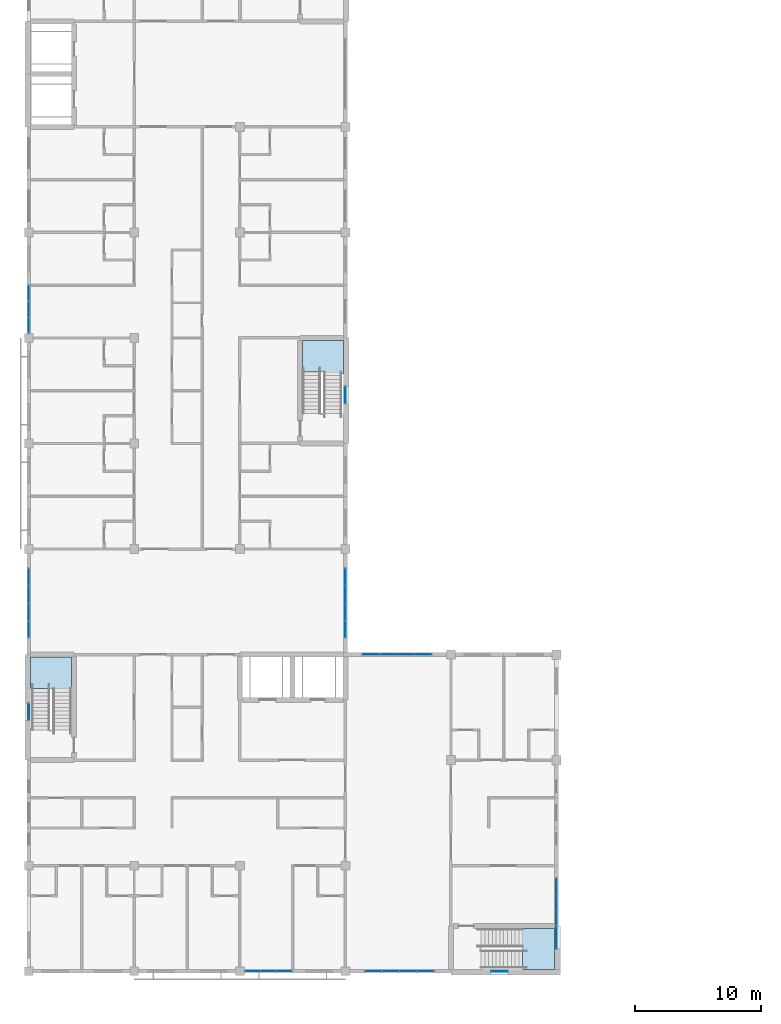
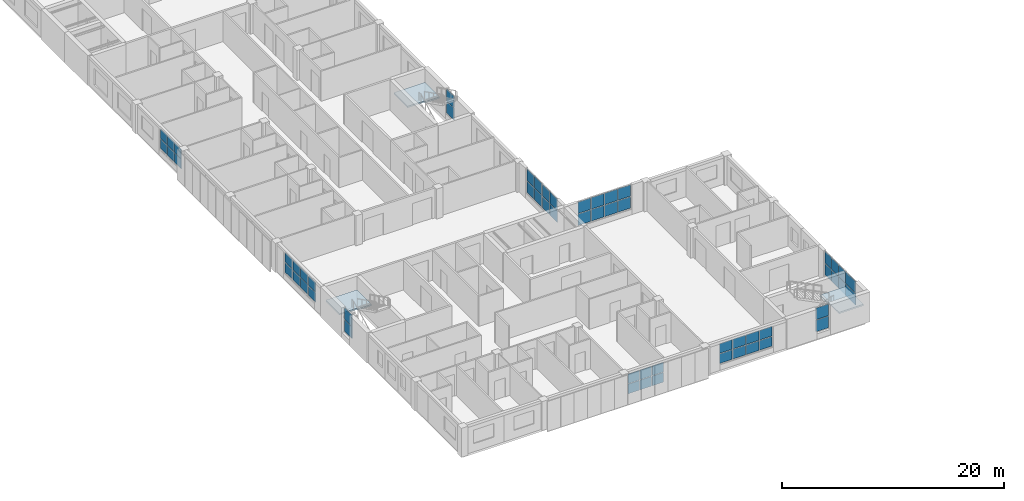
# One storey, part 21 of 48: 58 plates, 3 slabs, 14 elements without a shape of their own.
"""IFC4 building model written with IfcOpenShell, lengths in metres."""

from ifc_helpers import new_model, si_unit, direction, frame, origin, origin_2d, place, context, subcontext, project, spatial, polyline, rectangle, outline, extrude, material, layer, layer_set, type_object, element, aggregate, save


model = new_model("IFC4")

# Units and contexts
model_context = context("Model", 3, precision=1e-05, world=origin(), true_north=direction((0.0, 1.0)))
body_context = subcontext(model_context, "Body", "Model", "MODEL_VIEW")
ifc_project = project(units=[si_unit("LENGTHUNIT", "METRE"), si_unit("AREAUNIT", "SQUARE_METRE"), si_unit("VOLUMEUNIT", "CUBIC_METRE"), si_unit("PLANEANGLEUNIT", "RADIAN"), si_unit("MASSUNIT", "GRAM", prefix="KILO")], contexts=[model_context])

# Site, building, storey
site_placement = place(None, origin())
site = spatial("IfcSite", under=ifc_project, at=site_placement, CompositionType="ELEMENT")
building_placement = place(site_placement, origin())
building = spatial("IfcBuilding", under=site, at=building_placement, Name="Yavir Park General Hospital", CompositionType="ELEMENT")
storey_placement = place(building_placement, frame((0.0, 0.0, 26.10009765625)))
storey = spatial("IfcBuildingStorey", under=building, at=storey_placement, Name="L06", CompositionType="ELEMENT", Elevation=26.10009765625)

# Curtain wall, plates
ifc_material_1 = material(Name="Aluminium curtain wall frame with insulated glazing", Category="aluminium")
curtain_wall_type_1 = type_object("IfcCurtainWallType", Name="Day room pocket glazing, ward floors, 2300 high, 1400 module", PredefinedType="NOTDEFINED", material=ifc_material_1)
curtain_wall_1_placement = place(storey_placement, origin())
curtain_wall_1 = element("IfcCurtainWall", 1, at=curtain_wall_1_placement, inside=storey, type_object=curtain_wall_type_1, Name="CW63 L06-001", PredefinedType="NOTDEFINED")
ifc_material_2 = material(Name="Insulated glazed unit 30 mm, low-e coating")
ifc_layer_1 = layer(ifc_material_2, 0.030029296875)
ifc_layer_set_1 = layer_set([ifc_layer_1], Name="Insulated glazed unit 30 mm, low-e coating")
plate_type_1 = type_object("IfcPlateType", Name="Day room pocket glazing, ward floors, 2300 high panel 30", PredefinedType="CURTAIN_PANEL", material=ifc_layer_set_1)
plate_1_placement = place(storey_placement, frame((17.806640625, 0.0, 0.659912109375), z_axis=(0.0, 0.0, 1.0), x_axis=(1.0, 0.0, 0.0)))
plate_1 = element("IfcPlate", 2, at=plate_1_placement, type_object=plate_type_1, Name="CW63 panel 1.1", PredefinedType="CURTAIN_PANEL", context=body_context, shape_type="SweptSolid", body=[
    extrude(rectangle(XDim=1.193359375, YDim=0.030029296875, at=origin_2d()), origin(), (0.0, 0.0, 1.0), 1.06005859375),
])
plate_2_placement = place(storey_placement, frame((17.806640625, 0.0, 1.77978515625), z_axis=(0.0, 0.0, 1.0), x_axis=(1.0, 0.0, 0.0)))
plate_2 = element("IfcPlate", 3, at=plate_2_placement, type_object=plate_type_1, Name="CW63 panel 1.2", PredefinedType="CURTAIN_PANEL", context=body_context, shape_type="SweptSolid", body=[
    extrude(rectangle(XDim=1.193359375, YDim=0.030029296875, at=origin_2d()), origin(), (0.0, 0.0, 1.0), 1.06005859375),
])
plate_3_placement = place(storey_placement, frame((19.074951171875, 0.0, 0.659912109375), z_axis=(0.0, 0.0, 1.0), x_axis=(1.0, 0.0, 0.0)))
plate_3 = element("IfcPlate", 4, at=plate_3_placement, type_object=plate_type_1, Name="CW63 panel 2.1", PredefinedType="CURTAIN_PANEL", context=body_context, shape_type="SweptSolid", body=[
    extrude(rectangle(XDim=1.223388671875, YDim=0.030029296875, at=origin_2d()), origin(), (0.0, 0.0, 1.0), 1.06005859375),
])
plate_4_placement = place(storey_placement, frame((19.074951171875, 0.0, 1.77978515625), z_axis=(0.0, 0.0, 1.0), x_axis=(1.0, 0.0, 0.0)))
plate_4 = element("IfcPlate", 5, at=plate_4_placement, type_object=plate_type_1, Name="CW63 panel 2.2", PredefinedType="CURTAIN_PANEL", context=body_context, shape_type="SweptSolid", body=[
    extrude(rectangle(XDim=1.223388671875, YDim=0.030029296875, at=origin_2d()), origin(), (0.0, 0.0, 1.0), 1.06005859375),
])
plate_5_placement = place(storey_placement, frame((20.34326171875, 0.0, 0.659912109375), z_axis=(0.0, 0.0, 1.0), x_axis=(1.0, 0.0, 0.0)))
plate_5 = element("IfcPlate", 6, at=plate_5_placement, type_object=plate_type_1, Name="CW63 panel 3.1", PredefinedType="CURTAIN_PANEL", context=body_context, shape_type="SweptSolid", body=[
    extrude(rectangle(XDim=1.193359375, YDim=0.030029296875, at=origin_2d()), origin(), (0.0, 0.0, 1.0), 1.06005859375),
])
plate_6_placement = place(storey_placement, frame((20.34326171875, 0.0, 1.77978515625), z_axis=(0.0, 0.0, 1.0), x_axis=(1.0, 0.0, 0.0)))
plate_6 = element("IfcPlate", 7, at=plate_6_placement, type_object=plate_type_1, Name="CW63 panel 3.2", PredefinedType="CURTAIN_PANEL", context=body_context, shape_type="SweptSolid", body=[
    extrude(rectangle(XDim=1.193359375, YDim=0.030029296875, at=origin_2d()), origin(), (0.0, 0.0, 1.0), 1.06005859375),
])
aggregate(curtain_wall_1, [plate_1, plate_2, plate_3, plate_4, plate_5, plate_6])

curtain_wall_2_placement = place(storey_placement, origin())
curtain_wall_2 = element("IfcCurtainWall", 8, at=curtain_wall_2_placement, inside=storey, type_object=curtain_wall_type_1, Name="CW63 L06-002", PredefinedType="NOTDEFINED")
plate_7_placement = place(storey_placement, frame((27.4150390625, 0.0, 0.659912109375), z_axis=(0.0, 0.0, 1.0), x_axis=(1.0, 0.0, 0.0)))
plate_7 = element("IfcPlate", 9, at=plate_7_placement, type_object=plate_type_1, Name="CW63 panel 1.1", PredefinedType="CURTAIN_PANEL", context=body_context, shape_type="SweptSolid", body=[
    extrude(rectangle(XDim=1.31005859375, YDim=0.030029296875, at=origin_2d()), origin(), (0.0, 0.0, 1.0), 1.06005859375),
])
plate_8_placement = place(storey_placement, frame((27.4150390625, 0.0, 1.77978515625), z_axis=(0.0, 0.0, 1.0), x_axis=(1.0, 0.0, 0.0)))
plate_8 = element("IfcPlate", 10, at=plate_8_placement, type_object=plate_type_1, Name="CW63 panel 1.2", PredefinedType="CURTAIN_PANEL", context=body_context, shape_type="SweptSolid", body=[
    extrude(rectangle(XDim=1.31005859375, YDim=0.030029296875, at=origin_2d()), origin(), (0.0, 0.0, 1.0), 1.06005859375),
])
plate_9_placement = place(storey_placement, frame((28.800048828125, 0.0, 0.659912109375), z_axis=(0.0, 0.0, 1.0), x_axis=(1.0, 0.0, 0.0)))
plate_9 = element("IfcPlate", 11, at=plate_9_placement, type_object=plate_type_1, Name="CW63 panel 2.1", PredefinedType="CURTAIN_PANEL", context=body_context, shape_type="SweptSolid", body=[
    extrude(rectangle(XDim=1.340087890625, YDim=0.030029296875, at=origin_2d()), origin(), (0.0, 0.0, 1.0), 1.06005859375),
])
plate_10_placement = place(storey_placement, frame((28.800048828125, 0.0, 1.77978515625), z_axis=(0.0, 0.0, 1.0), x_axis=(1.0, 0.0, 0.0)))
plate_10 = element("IfcPlate", 12, at=plate_10_placement, type_object=plate_type_1, Name="CW63 panel 2.2", PredefinedType="CURTAIN_PANEL", context=body_context, shape_type="SweptSolid", body=[
    extrude(rectangle(XDim=1.340087890625, YDim=0.030029296875, at=origin_2d()), origin(), (0.0, 0.0, 1.0), 1.06005859375),
])
plate_11_placement = place(storey_placement, frame((30.199951171875, 0.0, 0.659912109375), z_axis=(0.0, 0.0, 1.0), x_axis=(1.0, 0.0, 0.0)))
plate_11 = element("IfcPlate", 13, at=plate_11_placement, type_object=plate_type_1, Name="CW63 panel 3.1", PredefinedType="CURTAIN_PANEL", context=body_context, shape_type="SweptSolid", body=[
    extrude(rectangle(XDim=1.340087890625, YDim=0.030029296875, at=origin_2d()), origin(), (0.0, 0.0, 1.0), 1.06005859375),
])
plate_12_placement = place(storey_placement, frame((30.199951171875, 0.0, 1.77978515625), z_axis=(0.0, 0.0, 1.0), x_axis=(1.0, 0.0, 0.0)))
plate_12 = element("IfcPlate", 14, at=plate_12_placement, type_object=plate_type_1, Name="CW63 panel 3.2", PredefinedType="CURTAIN_PANEL", context=body_context, shape_type="SweptSolid", body=[
    extrude(rectangle(XDim=1.340087890625, YDim=0.030029296875, at=origin_2d()), origin(), (0.0, 0.0, 1.0), 1.06005859375),
])
plate_13_placement = place(storey_placement, frame((31.5849609375, 0.0, 0.659912109375), z_axis=(0.0, 0.0, 1.0), x_axis=(1.0, 0.0, 0.0)))
plate_13 = element("IfcPlate", 15, at=plate_13_placement, type_object=plate_type_1, Name="CW63 panel 4.1", PredefinedType="CURTAIN_PANEL", context=body_context, shape_type="SweptSolid", body=[
    extrude(rectangle(XDim=1.31005859375, YDim=0.030029296875, at=origin_2d()), origin(), (0.0, 0.0, 1.0), 1.06005859375),
])
plate_14_placement = place(storey_placement, frame((31.5849609375, 0.0, 1.77978515625), z_axis=(0.0, 0.0, 1.0), x_axis=(1.0, 0.0, 0.0)))
plate_14 = element("IfcPlate", 16, at=plate_14_placement, type_object=plate_type_1, Name="CW63 panel 4.2", PredefinedType="CURTAIN_PANEL", context=body_context, shape_type="SweptSolid", body=[
    extrude(rectangle(XDim=1.31005859375, YDim=0.030029296875, at=origin_2d()), origin(), (0.0, 0.0, 1.0), 1.06005859375),
])
aggregate(curtain_wall_2, [plate_7, plate_8, plate_9, plate_10, plate_11, plate_12, plate_13, plate_14])

curtain_wall_3_placement = place(storey_placement, origin())
curtain_wall_3 = element("IfcCurtainWall", 17, at=curtain_wall_3_placement, inside=storey, type_object=curtain_wall_type_1, Name="CW63 L06-019", PredefinedType="NOTDEFINED")
plate_15_placement = place(storey_placement, frame((0.0, 27.215087890625, 0.659912109375), z_axis=(0.0, 0.0, 1.0), x_axis=(0.0, 1.0, 0.0)))
plate_15 = element("IfcPlate", 18, at=plate_15_placement, type_object=plate_type_1, Name="CW63 panel 1.1", PredefinedType="CURTAIN_PANEL", context=body_context, shape_type="SweptSolid", body=[
    extrude(rectangle(XDim=1.31005859375, YDim=0.030029296875, at=origin_2d()), origin(), (0.0, 0.0, 1.0), 1.06005859375),
])
plate_16_placement = place(storey_placement, frame((0.0, 27.215087890625, 1.77978515625), z_axis=(0.0, 0.0, 1.0), x_axis=(0.0, 1.0, 0.0)))
plate_16 = element("IfcPlate", 19, at=plate_16_placement, type_object=plate_type_1, Name="CW63 panel 1.2", PredefinedType="CURTAIN_PANEL", context=body_context, shape_type="SweptSolid", body=[
    extrude(rectangle(XDim=1.31005859375, YDim=0.030029296875, at=origin_2d()), origin(), (0.0, 0.0, 1.0), 1.06005859375),
])
plate_17_placement = place(storey_placement, frame((0.0, 28.60009765625, 0.659912109375), z_axis=(0.0, 0.0, 1.0), x_axis=(0.0, 1.0, 0.0)))
plate_17 = element("IfcPlate", 20, at=plate_17_placement, type_object=plate_type_1, Name="CW63 panel 2.1", PredefinedType="CURTAIN_PANEL", context=body_context, shape_type="SweptSolid", body=[
    extrude(rectangle(XDim=1.340087890625, YDim=0.030029296875, at=origin_2d()), origin(), (0.0, 0.0, 1.0), 1.06005859375),
])
plate_18_placement = place(storey_placement, frame((0.0, 28.60009765625, 1.77978515625), z_axis=(0.0, 0.0, 1.0), x_axis=(0.0, 1.0, 0.0)))
plate_18 = element("IfcPlate", 21, at=plate_18_placement, type_object=plate_type_1, Name="CW63 panel 2.2", PredefinedType="CURTAIN_PANEL", context=body_context, shape_type="SweptSolid", body=[
    extrude(rectangle(XDim=1.340087890625, YDim=0.030029296875, at=origin_2d()), origin(), (0.0, 0.0, 1.0), 1.06005859375),
])
plate_19_placement = place(storey_placement, frame((0.0, 30.0, 0.659912109375), z_axis=(0.0, 0.0, 1.0), x_axis=(0.0, 1.0, 0.0)))
plate_19 = element("IfcPlate", 22, at=plate_19_placement, type_object=plate_type_1, Name="CW63 panel 3.1", PredefinedType="CURTAIN_PANEL", context=body_context, shape_type="SweptSolid", body=[
    extrude(rectangle(XDim=1.340087890625, YDim=0.030029296875, at=origin_2d()), origin(), (0.0, 0.0, 1.0), 1.06005859375),
])
plate_20_placement = place(storey_placement, frame((0.0, 30.0, 1.77978515625), z_axis=(0.0, 0.0, 1.0), x_axis=(0.0, 1.0, 0.0)))
plate_20 = element("IfcPlate", 23, at=plate_20_placement, type_object=plate_type_1, Name="CW63 panel 3.2", PredefinedType="CURTAIN_PANEL", context=body_context, shape_type="SweptSolid", body=[
    extrude(rectangle(XDim=1.340087890625, YDim=0.030029296875, at=origin_2d()), origin(), (0.0, 0.0, 1.0), 1.06005859375),
])
plate_21_placement = place(storey_placement, frame((0.0, 31.385009765625, 0.659912109375), z_axis=(0.0, 0.0, 1.0), x_axis=(0.0, 1.0, 0.0)))
plate_21 = element("IfcPlate", 24, at=plate_21_placement, type_object=plate_type_1, Name="CW63 panel 4.1", PredefinedType="CURTAIN_PANEL", context=body_context, shape_type="SweptSolid", body=[
    extrude(rectangle(XDim=1.31005859375, YDim=0.030029296875, at=origin_2d()), origin(), (0.0, 0.0, 1.0), 1.06005859375),
])
plate_22_placement = place(storey_placement, frame((0.0, 31.385009765625, 1.77978515625), z_axis=(0.0, 0.0, 1.0), x_axis=(0.0, 1.0, 0.0)))
plate_22 = element("IfcPlate", 25, at=plate_22_placement, type_object=plate_type_1, Name="CW63 panel 4.2", PredefinedType="CURTAIN_PANEL", context=body_context, shape_type="SweptSolid", body=[
    extrude(rectangle(XDim=1.31005859375, YDim=0.030029296875, at=origin_2d()), origin(), (0.0, 0.0, 1.0), 1.06005859375),
])
aggregate(curtain_wall_3, [plate_15, plate_16, plate_17, plate_18, plate_19, plate_20, plate_21, plate_22])

curtain_wall_4_placement = place(storey_placement, origin())
curtain_wall_4 = element("IfcCurtainWall", 26, at=curtain_wall_4_placement, inside=storey, type_object=curtain_wall_type_1, Name="CW63 L06-020", PredefinedType="NOTDEFINED")
plate_23_placement = place(storey_placement, frame((0.0, 51.40673828125, 0.659912109375), z_axis=(0.0, 0.0, 1.0), x_axis=(0.0, 1.0, 0.0)))
plate_23 = element("IfcPlate", 27, at=plate_23_placement, type_object=plate_type_1, Name="CW63 panel 1.1", PredefinedType="CURTAIN_PANEL", context=body_context, shape_type="SweptSolid", body=[
    extrude(rectangle(XDim=1.193359375, YDim=0.030029296875, at=origin_2d()), origin(), (0.0, 0.0, 1.0), 1.06005859375),
])
plate_24_placement = place(storey_placement, frame((0.0, 51.40673828125, 1.77978515625), z_axis=(0.0, 0.0, 1.0), x_axis=(0.0, 1.0, 0.0)))
plate_24 = element("IfcPlate", 28, at=plate_24_placement, type_object=plate_type_1, Name="CW63 panel 1.2", PredefinedType="CURTAIN_PANEL", context=body_context, shape_type="SweptSolid", body=[
    extrude(rectangle(XDim=1.193359375, YDim=0.030029296875, at=origin_2d()), origin(), (0.0, 0.0, 1.0), 1.06005859375),
])
plate_25_placement = place(storey_placement, frame((0.0, 52.675048828125, 0.659912109375), z_axis=(0.0, 0.0, 1.0), x_axis=(0.0, 1.0, 0.0)))
plate_25 = element("IfcPlate", 29, at=plate_25_placement, type_object=plate_type_1, Name="CW63 panel 2.1", PredefinedType="CURTAIN_PANEL", context=body_context, shape_type="SweptSolid", body=[
    extrude(rectangle(XDim=1.223388671875, YDim=0.030029296875, at=origin_2d()), origin(), (0.0, 0.0, 1.0), 1.06005859375),
])
plate_26_placement = place(storey_placement, frame((0.0, 52.675048828125, 1.77978515625), z_axis=(0.0, 0.0, 1.0), x_axis=(0.0, 1.0, 0.0)))
plate_26 = element("IfcPlate", 30, at=plate_26_placement, type_object=plate_type_1, Name="CW63 panel 2.2", PredefinedType="CURTAIN_PANEL", context=body_context, shape_type="SweptSolid", body=[
    extrude(rectangle(XDim=1.223388671875, YDim=0.030029296875, at=origin_2d()), origin(), (0.0, 0.0, 1.0), 1.06005859375),
])
plate_27_placement = place(storey_placement, frame((0.0, 53.943359375, 0.659912109375), z_axis=(0.0, 0.0, 1.0), x_axis=(0.0, 1.0, 0.0)))
plate_27 = element("IfcPlate", 31, at=plate_27_placement, type_object=plate_type_1, Name="CW63 panel 3.1", PredefinedType="CURTAIN_PANEL", context=body_context, shape_type="SweptSolid", body=[
    extrude(rectangle(XDim=1.193359375, YDim=0.030029296875, at=origin_2d()), origin(), (0.0, 0.0, 1.0), 1.06005859375),
])
plate_28_placement = place(storey_placement, frame((0.0, 53.943359375, 1.77978515625), z_axis=(0.0, 0.0, 1.0), x_axis=(0.0, 1.0, 0.0)))
plate_28 = element("IfcPlate", 32, at=plate_28_placement, type_object=plate_type_1, Name="CW63 panel 3.2", PredefinedType="CURTAIN_PANEL", context=body_context, shape_type="SweptSolid", body=[
    extrude(rectangle(XDim=1.193359375, YDim=0.030029296875, at=origin_2d()), origin(), (0.0, 0.0, 1.0), 1.06005859375),
])
aggregate(curtain_wall_4, [plate_23, plate_24, plate_25, plate_26, plate_27, plate_28])

ifc_material_3 = material(Name="Aluminium curtain wall frame with insulated glazing", Category="aluminium")
curtain_wall_type_2 = type_object("IfcCurtainWallType", Name="Day room pocket glazing, ward floors, 2700 high, 1400 module", PredefinedType="NOTDEFINED", material=ifc_material_3)
curtain_wall_5_placement = place(storey_placement, origin())
curtain_wall_5 = element("IfcCurtainWall", 33, at=curtain_wall_5_placement, inside=storey, type_object=curtain_wall_type_2, Name="CW65 L06-010", PredefinedType="NOTDEFINED")
ifc_material_4 = material(Name="Insulated glazed unit 30 mm, low-e coating")
ifc_layer_2 = layer(ifc_material_4, 0.030029296875)
ifc_layer_set_2 = layer_set([ifc_layer_2], Name="Insulated glazed unit 30 mm, low-e coating")
plate_type_2 = type_object("IfcPlateType", Name="Day room pocket glazing, ward floors, 2700 high panel 30", PredefinedType="CURTAIN_PANEL", material=ifc_layer_set_2)
plate_29_placement = place(storey_placement, frame((27.215087890625, 25.199951171875, 0.65966796875), z_axis=(0.0, 0.0, 1.0), x_axis=(1.0, 0.0, 0.0)))
plate_29 = element("IfcPlate", 34, at=plate_29_placement, type_object=plate_type_2, Name="CW65 panel 1.1", PredefinedType="CURTAIN_PANEL", context=body_context, shape_type="SweptSolid", body=[
    extrude(rectangle(XDim=1.31005859375, YDim=0.030029296875, at=origin_2d()), origin(), (0.0, 0.0, 1.0), 1.260009765625),
])
plate_30_placement = place(storey_placement, frame((27.215087890625, 25.199951171875, 1.97998046875), z_axis=(0.0, 0.0, 1.0), x_axis=(1.0, 0.0, 0.0)))
plate_30 = element("IfcPlate", 35, at=plate_30_placement, type_object=plate_type_2, Name="CW65 panel 1.2", PredefinedType="CURTAIN_PANEL", context=body_context, shape_type="SweptSolid", body=[
    extrude(rectangle(XDim=1.31005859375, YDim=0.030029296875, at=origin_2d()), origin(), (0.0, 0.0, 1.0), 1.260009765625),
])
plate_31_placement = place(storey_placement, frame((28.60009765625, 25.199951171875, 0.65966796875), z_axis=(0.0, 0.0, 1.0), x_axis=(1.0, 0.0, 0.0)))
plate_31 = element("IfcPlate", 36, at=plate_31_placement, type_object=plate_type_2, Name="CW65 panel 2.1", PredefinedType="CURTAIN_PANEL", context=body_context, shape_type="SweptSolid", body=[
    extrude(rectangle(XDim=1.340087890625, YDim=0.030029296875, at=origin_2d()), origin(), (0.0, 0.0, 1.0), 1.260009765625),
])
plate_32_placement = place(storey_placement, frame((28.60009765625, 25.199951171875, 1.97998046875), z_axis=(0.0, 0.0, 1.0), x_axis=(1.0, 0.0, 0.0)))
plate_32 = element("IfcPlate", 37, at=plate_32_placement, type_object=plate_type_2, Name="CW65 panel 2.2", PredefinedType="CURTAIN_PANEL", context=body_context, shape_type="SweptSolid", body=[
    extrude(rectangle(XDim=1.340087890625, YDim=0.030029296875, at=origin_2d()), origin(), (0.0, 0.0, 1.0), 1.260009765625),
])
plate_33_placement = place(storey_placement, frame((30.0, 25.199951171875, 0.65966796875), z_axis=(0.0, 0.0, 1.0), x_axis=(1.0, 0.0, 0.0)))
plate_33 = element("IfcPlate", 38, at=plate_33_placement, type_object=plate_type_2, Name="CW65 panel 3.1", PredefinedType="CURTAIN_PANEL", context=body_context, shape_type="SweptSolid", body=[
    extrude(rectangle(XDim=1.340087890625, YDim=0.030029296875, at=origin_2d()), origin(), (0.0, 0.0, 1.0), 1.260009765625),
])
plate_34_placement = place(storey_placement, frame((30.0, 25.199951171875, 1.97998046875), z_axis=(0.0, 0.0, 1.0), x_axis=(1.0, 0.0, 0.0)))
plate_34 = element("IfcPlate", 39, at=plate_34_placement, type_object=plate_type_2, Name="CW65 panel 3.2", PredefinedType="CURTAIN_PANEL", context=body_context, shape_type="SweptSolid", body=[
    extrude(rectangle(XDim=1.340087890625, YDim=0.030029296875, at=origin_2d()), origin(), (0.0, 0.0, 1.0), 1.260009765625),
])
plate_35_placement = place(storey_placement, frame((31.385009765625, 25.199951171875, 0.65966796875), z_axis=(0.0, 0.0, 1.0), x_axis=(1.0, 0.0, 0.0)))
plate_35 = element("IfcPlate", 40, at=plate_35_placement, type_object=plate_type_2, Name="CW65 panel 4.1", PredefinedType="CURTAIN_PANEL", context=body_context, shape_type="SweptSolid", body=[
    extrude(rectangle(XDim=1.31005859375, YDim=0.030029296875, at=origin_2d()), origin(), (0.0, 0.0, 1.0), 1.260009765625),
])
plate_36_placement = place(storey_placement, frame((31.385009765625, 25.199951171875, 1.97998046875), z_axis=(0.0, 0.0, 1.0), x_axis=(1.0, 0.0, 0.0)))
plate_36 = element("IfcPlate", 41, at=plate_36_placement, type_object=plate_type_2, Name="CW65 panel 4.2", PredefinedType="CURTAIN_PANEL", context=body_context, shape_type="SweptSolid", body=[
    extrude(rectangle(XDim=1.31005859375, YDim=0.030029296875, at=origin_2d()), origin(), (0.0, 0.0, 1.0), 1.260009765625),
])
aggregate(curtain_wall_5, [plate_29, plate_30, plate_31, plate_32, plate_33, plate_34, plate_35, plate_36])

curtain_wall_6_placement = place(storey_placement, origin())
curtain_wall_6 = element("IfcCurtainWall", 42, at=curtain_wall_6_placement, inside=storey, type_object=curtain_wall_type_2, Name="CW65 L06-021", PredefinedType="NOTDEFINED")
plate_37_placement = place(storey_placement, frame((25.199951171875, 27.215087890625, 0.65966796875), z_axis=(0.0, 0.0, 1.0), x_axis=(0.0, 1.0, 0.0)))
plate_37 = element("IfcPlate", 43, at=plate_37_placement, type_object=plate_type_2, Name="CW65 panel 1.1", PredefinedType="CURTAIN_PANEL", context=body_context, shape_type="SweptSolid", body=[
    extrude(rectangle(XDim=1.31005859375, YDim=0.030029296875, at=origin_2d()), origin(), (0.0, 0.0, 1.0), 1.260009765625),
])
plate_38_placement = place(storey_placement, frame((25.199951171875, 27.215087890625, 1.97998046875), z_axis=(0.0, 0.0, 1.0), x_axis=(0.0, 1.0, 0.0)))
plate_38 = element("IfcPlate", 44, at=plate_38_placement, type_object=plate_type_2, Name="CW65 panel 1.2", PredefinedType="CURTAIN_PANEL", context=body_context, shape_type="SweptSolid", body=[
    extrude(rectangle(XDim=1.31005859375, YDim=0.030029296875, at=origin_2d()), origin(), (0.0, 0.0, 1.0), 1.260009765625),
])
plate_39_placement = place(storey_placement, frame((25.199951171875, 28.60009765625, 0.65966796875), z_axis=(0.0, 0.0, 1.0), x_axis=(0.0, 1.0, 0.0)))
plate_39 = element("IfcPlate", 45, at=plate_39_placement, type_object=plate_type_2, Name="CW65 panel 2.1", PredefinedType="CURTAIN_PANEL", context=body_context, shape_type="SweptSolid", body=[
    extrude(rectangle(XDim=1.340087890625, YDim=0.030029296875, at=origin_2d()), origin(), (0.0, 0.0, 1.0), 1.260009765625),
])
plate_40_placement = place(storey_placement, frame((25.199951171875, 28.60009765625, 1.97998046875), z_axis=(0.0, 0.0, 1.0), x_axis=(0.0, 1.0, 0.0)))
plate_40 = element("IfcPlate", 46, at=plate_40_placement, type_object=plate_type_2, Name="CW65 panel 2.2", PredefinedType="CURTAIN_PANEL", context=body_context, shape_type="SweptSolid", body=[
    extrude(rectangle(XDim=1.340087890625, YDim=0.030029296875, at=origin_2d()), origin(), (0.0, 0.0, 1.0), 1.260009765625),
])
plate_41_placement = place(storey_placement, frame((25.199951171875, 30.0, 0.65966796875), z_axis=(0.0, 0.0, 1.0), x_axis=(0.0, 1.0, 0.0)))
plate_41 = element("IfcPlate", 47, at=plate_41_placement, type_object=plate_type_2, Name="CW65 panel 3.1", PredefinedType="CURTAIN_PANEL", context=body_context, shape_type="SweptSolid", body=[
    extrude(rectangle(XDim=1.340087890625, YDim=0.030029296875, at=origin_2d()), origin(), (0.0, 0.0, 1.0), 1.260009765625),
])
plate_42_placement = place(storey_placement, frame((25.199951171875, 30.0, 1.97998046875), z_axis=(0.0, 0.0, 1.0), x_axis=(0.0, 1.0, 0.0)))
plate_42 = element("IfcPlate", 48, at=plate_42_placement, type_object=plate_type_2, Name="CW65 panel 3.2", PredefinedType="CURTAIN_PANEL", context=body_context, shape_type="SweptSolid", body=[
    extrude(rectangle(XDim=1.340087890625, YDim=0.030029296875, at=origin_2d()), origin(), (0.0, 0.0, 1.0), 1.260009765625),
])
plate_43_placement = place(storey_placement, frame((25.199951171875, 31.385009765625, 0.65966796875), z_axis=(0.0, 0.0, 1.0), x_axis=(0.0, 1.0, 0.0)))
plate_43 = element("IfcPlate", 49, at=plate_43_placement, type_object=plate_type_2, Name="CW65 panel 4.1", PredefinedType="CURTAIN_PANEL", context=body_context, shape_type="SweptSolid", body=[
    extrude(rectangle(XDim=1.31005859375, YDim=0.030029296875, at=origin_2d()), origin(), (0.0, 0.0, 1.0), 1.260009765625),
])
plate_44_placement = place(storey_placement, frame((25.199951171875, 31.385009765625, 1.97998046875), z_axis=(0.0, 0.0, 1.0), x_axis=(0.0, 1.0, 0.0)))
plate_44 = element("IfcPlate", 50, at=plate_44_placement, type_object=plate_type_2, Name="CW65 panel 4.2", PredefinedType="CURTAIN_PANEL", context=body_context, shape_type="SweptSolid", body=[
    extrude(rectangle(XDim=1.31005859375, YDim=0.030029296875, at=origin_2d()), origin(), (0.0, 0.0, 1.0), 1.260009765625),
])
aggregate(curtain_wall_6, [plate_37, plate_38, plate_39, plate_40, plate_41, plate_42, plate_43, plate_44])

# Stair, slab
ifc_material_5 = material(Name="Concrete C30/37", Category="concrete")
stair_type = type_object("IfcStairType", Name="Patient escape stair, 24 risers of 150 mm, 1400 mm flights", PredefinedType="HALF_TURN_STAIR", material=ifc_material_5)
stair_1_placement = place(storey_placement, origin())
stair_1 = element("IfcStair", 51, at=stair_1_placement, inside=storey, type_object=stair_type, Name="Stair SU1, L06 to RF", PredefinedType="HALF_TURN_STAIR")
ifc_material_6 = material(Name="Concrete C30/37", Category="concrete")
ifc_layer_3 = layer(ifc_material_6, 0.159912109375)
ifc_layer_set_3 = layer_set([ifc_layer_3], Name="Concrete C30/37")
slab_type = type_object("IfcSlabType", Name="Patient escape stair half landing, reinforced concrete 160 mm", PredefinedType="LANDING", material=ifc_layer_set_3)
slab_1_placement = place(storey_placement, frame((0.0, 0.0, 1.639892578125)))
slab_1 = element("IfcSlab", 52, at=slab_1_placement, type_object=slab_type, Name="SU1 landing 1", PredefinedType="LANDING", context=body_context, shape_type="SweptSolid", body=[
    extrude(outline(polyline([(0.14990234375, 22.49853515625), (0.14990234375, 25.0), (3.39990234375, 25.0), (3.39990234375, 22.35009765625), (1.949951171875, 22.35009765625), (1.949951171875, 22.49853515625), (0.14990234375, 22.49853515625)])), origin(), (0.0, 0.0, 1.0), 0.159912109375),
])
aggregate(stair_1, [slab_1])

stair_2_placement = place(storey_placement, origin())
stair_2 = element("IfcStair", 53, at=stair_2_placement, inside=storey, type_object=stair_type, Name="Stair SU2, L06 to RF", PredefinedType="HALF_TURN_STAIR")
slab_2_placement = place(storey_placement, frame((0.0, 0.0, 1.639892578125)))
slab_2 = element("IfcSlab", 54, at=slab_2_placement, type_object=slab_type, Name="SU2 landing 1", PredefinedType="LANDING", context=body_context, shape_type="SweptSolid", body=[
    extrude(outline(polyline([(39.298583984375, 0.14990234375), (41.85009765625, 0.14990234375), (41.85009765625, 3.39990234375), (39.14990234375, 3.39990234375), (39.14990234375, 1.949951171875), (39.298583984375, 1.949951171875), (39.298583984375, 0.14990234375)])), origin(), (0.0, 0.0, 1.0), 0.159912109375),
])
aggregate(stair_2, [slab_2])

stair_3_placement = place(storey_placement, origin())
stair_3 = element("IfcStair", 55, at=stair_3_placement, inside=storey, type_object=stair_type, Name="Stair SW1, L06 to RF", PredefinedType="HALF_TURN_STAIR")
slab_3_placement = place(storey_placement, frame((0.0, 0.0, 1.639892578125)))
slab_3 = element("IfcSlab", 56, at=slab_3_placement, type_object=slab_type, Name="SW1 landing 1", PredefinedType="LANDING", context=body_context, shape_type="SweptSolid", body=[
    extrude(outline(polyline([(21.800048828125, 47.698486328125), (21.800048828125, 50.199951171875), (25.050048828125, 50.199951171875), (25.050048828125, 47.550048828125), (23.5, 47.550048828125), (23.5, 47.698486328125), (21.800048828125, 47.698486328125)])), origin(), (0.0, 0.0, 1.0), 0.159912109375),
])
aggregate(stair_3, [slab_3])

# Curtain wall, plates
ifc_material_7 = material(Name="Aluminium curtain wall frame with insulated glazing", Category="aluminium")
curtain_wall_type_3 = type_object("IfcCurtainWallType", Name="Stair light slot, ward floors, 2700 high, 1400 module", PredefinedType="NOTDEFINED", material=ifc_material_7)
curtain_wall_7_placement = place(storey_placement, origin())
curtain_wall_7 = element("IfcCurtainWall", 57, at=curtain_wall_7_placement, inside=storey, type_object=curtain_wall_type_3, Name="CW64 L06-003", PredefinedType="NOTDEFINED")
ifc_material_8 = material(Name="Fire-resisting glazed unit 70 mm")
ifc_layer_4 = layer(ifc_material_8, 0.070068359375)
ifc_layer_set_4 = layer_set([ifc_layer_4], Name="Fire-resisting glazed unit 70 mm")
plate_type_3 = type_object("IfcPlateType", Name="Stair light slot, ward floors, 2700 high panel 70", PredefinedType="CURTAIN_PANEL", material=ifc_layer_set_4)
plate_45_placement = place(storey_placement, frame((37.449951171875, 0.0, 0.64990234375), z_axis=(0.0, 0.0, 1.0), x_axis=(1.0, 0.0, 0.0)))
plate_45 = element("IfcPlate", 58, at=plate_45_placement, type_object=plate_type_3, Name="CW64 panel 1.1", PredefinedType="CURTAIN_PANEL", context=body_context, shape_type="SweptSolid", body=[
    extrude(rectangle(XDim=1.300048828125, YDim=0.070068359375, at=origin_2d()), origin(), (0.0, 0.0, 1.0), 1.27490234375),
])
plate_46_placement = place(storey_placement, frame((37.449951171875, 0.0, 1.974853515625), z_axis=(0.0, 0.0, 1.0), x_axis=(1.0, 0.0, 0.0)))
plate_46 = element("IfcPlate", 59, at=plate_46_placement, type_object=plate_type_3, Name="CW64 panel 1.2", PredefinedType="CURTAIN_PANEL", context=body_context, shape_type="SweptSolid", body=[
    extrude(rectangle(XDim=1.300048828125, YDim=0.070068359375, at=origin_2d()), origin(), (0.0, 0.0, 1.0), 1.27490234375),
])
aggregate(curtain_wall_7, [plate_45, plate_46])

curtain_wall_8_placement = place(storey_placement, origin())
curtain_wall_8 = element("IfcCurtainWall", 60, at=curtain_wall_8_placement, inside=storey, type_object=curtain_wall_type_3, Name="CW64 L06-018", PredefinedType="NOTDEFINED")
plate_47_placement = place(storey_placement, frame((0.0, 20.64990234375, 0.64990234375), z_axis=(0.0, 0.0, 1.0), x_axis=(0.0, 1.0, 0.0)))
plate_47 = element("IfcPlate", 61, at=plate_47_placement, type_object=plate_type_3, Name="CW64 panel 1.1", PredefinedType="CURTAIN_PANEL", context=body_context, shape_type="SweptSolid", body=[
    extrude(rectangle(XDim=1.300048828125, YDim=0.070068359375, at=origin_2d()), origin(), (0.0, 0.0, 1.0), 1.27490234375),
])
plate_48_placement = place(storey_placement, frame((0.0, 20.64990234375, 1.974853515625), z_axis=(0.0, 0.0, 1.0), x_axis=(0.0, 1.0, 0.0)))
plate_48 = element("IfcPlate", 62, at=plate_48_placement, type_object=plate_type_3, Name="CW64 panel 1.2", PredefinedType="CURTAIN_PANEL", context=body_context, shape_type="SweptSolid", body=[
    extrude(rectangle(XDim=1.300048828125, YDim=0.070068359375, at=origin_2d()), origin(), (0.0, 0.0, 1.0), 1.27490234375),
])
aggregate(curtain_wall_8, [plate_47, plate_48])

curtain_wall_9_placement = place(storey_placement, origin())
curtain_wall_9 = element("IfcCurtainWall", 63, at=curtain_wall_9_placement, inside=storey, type_object=curtain_wall_type_3, Name="CW64 L06-022", PredefinedType="NOTDEFINED")
plate_49_placement = place(storey_placement, frame((25.199951171875, 45.85009765625, 0.64990234375), z_axis=(0.0, 0.0, 1.0), x_axis=(0.0, 1.0, 0.0)))
plate_49 = element("IfcPlate", 64, at=plate_49_placement, type_object=plate_type_3, Name="CW64 panel 1.1", PredefinedType="CURTAIN_PANEL", context=body_context, shape_type="SweptSolid", body=[
    extrude(rectangle(XDim=1.300048828125, YDim=0.070068359375, at=origin_2d()), origin(), (0.0, 0.0, 1.0), 1.27490234375),
])
plate_50_placement = place(storey_placement, frame((25.199951171875, 45.85009765625, 1.974853515625), z_axis=(0.0, 0.0, 1.0), x_axis=(0.0, 1.0, 0.0)))
plate_50 = element("IfcPlate", 65, at=plate_50_placement, type_object=plate_type_3, Name="CW64 panel 1.2", PredefinedType="CURTAIN_PANEL", context=body_context, shape_type="SweptSolid", body=[
    extrude(rectangle(XDim=1.300048828125, YDim=0.070068359375, at=origin_2d()), origin(), (0.0, 0.0, 1.0), 1.27490234375),
])
aggregate(curtain_wall_9, [plate_49, plate_50])

curtain_wall_10_placement = place(storey_placement, origin())
curtain_wall_10 = element("IfcCurtainWall", 66, at=curtain_wall_10_placement, inside=storey, type_object=curtain_wall_type_3, Name="CW64 L06-027", PredefinedType="NOTDEFINED")
plate_51_placement = place(storey_placement, frame((42.0, 2.675048828125, 0.64990234375), z_axis=(0.0, 0.0, 1.0), x_axis=(0.0, 1.0, 0.0)))
plate_51 = element("IfcPlate", 67, at=plate_51_placement, type_object=plate_type_3, Name="CW64 panel 1.1", PredefinedType="CURTAIN_PANEL", context=body_context, shape_type="SweptSolid", body=[
    extrude(rectangle(XDim=1.75, YDim=0.070068359375, at=origin_2d()), origin(), (0.0, 0.0, 1.0), 1.27490234375),
])
plate_52_placement = place(storey_placement, frame((42.0, 2.675048828125, 1.974853515625), z_axis=(0.0, 0.0, 1.0), x_axis=(0.0, 1.0, 0.0)))
plate_52 = element("IfcPlate", 68, at=plate_52_placement, type_object=plate_type_3, Name="CW64 panel 1.2", PredefinedType="CURTAIN_PANEL", context=body_context, shape_type="SweptSolid", body=[
    extrude(rectangle(XDim=1.75, YDim=0.070068359375, at=origin_2d()), origin(), (0.0, 0.0, 1.0), 1.27490234375),
])
aggregate(curtain_wall_10, [plate_51, plate_52])

ifc_material_9 = material(Name="Aluminium curtain wall frame with insulated glazing", Category="aluminium")
curtain_wall_type_4 = type_object("IfcCurtainWallType", Name="Ward corridor end glazing, 2700 high, 1400 module", PredefinedType="NOTDEFINED", material=ifc_material_9)
curtain_wall_11_placement = place(storey_placement, origin())
curtain_wall_11 = element("IfcCurtainWall", 69, at=curtain_wall_11_placement, inside=storey, type_object=curtain_wall_type_4, Name="CW66 L06-028", PredefinedType="NOTDEFINED")
ifc_material_10 = material(Name="Insulated glazed unit 30 mm, low-e coating")
ifc_layer_5 = layer(ifc_material_10, 0.030029296875)
ifc_layer_set_5 = layer_set([ifc_layer_5], Name="Insulated glazed unit 30 mm, low-e coating")
plate_type_4 = type_object("IfcPlateType", Name="Ward corridor end glazing, 2700 high panel 30", PredefinedType="CURTAIN_PANEL", material=ifc_layer_set_5)
plate_53_placement = place(storey_placement, frame((42.0, 4.245849609375, 0.64990234375), z_axis=(0.0, 0.0, 1.0), x_axis=(0.0, 1.0, 0.0)))
plate_53 = element("IfcPlate", 70, at=plate_53_placement, type_object=plate_type_4, Name="CW66 panel 1.1", PredefinedType="CURTAIN_PANEL", context=body_context, shape_type="SweptSolid", body=[
    extrude(rectangle(XDim=1.191650390625, YDim=0.030029296875, at=origin_2d()), origin(), (0.0, 0.0, 1.0), 1.27490234375),
])
plate_54_placement = place(storey_placement, frame((42.0, 4.245849609375, 1.974853515625), z_axis=(0.0, 0.0, 1.0), x_axis=(0.0, 1.0, 0.0)))
plate_54 = element("IfcPlate", 71, at=plate_54_placement, type_object=plate_type_4, Name="CW66 panel 1.2", PredefinedType="CURTAIN_PANEL", context=body_context, shape_type="SweptSolid", body=[
    extrude(rectangle(XDim=1.191650390625, YDim=0.030029296875, at=origin_2d()), origin(), (0.0, 0.0, 1.0), 1.27490234375),
])
plate_55_placement = place(storey_placement, frame((42.0, 5.5, 0.64990234375), z_axis=(0.0, 0.0, 1.0), x_axis=(0.0, 1.0, 0.0)))
plate_55 = element("IfcPlate", 72, at=plate_55_placement, type_object=plate_type_4, Name="CW66 panel 2.1", PredefinedType="CURTAIN_PANEL", context=body_context, shape_type="SweptSolid", body=[
    extrude(rectangle(XDim=1.216552734375, YDim=0.030029296875, at=origin_2d()), origin(), (0.0, 0.0, 1.0), 1.27490234375),
])
plate_56_placement = place(storey_placement, frame((42.0, 5.5, 1.974853515625), z_axis=(0.0, 0.0, 1.0), x_axis=(0.0, 1.0, 0.0)))
plate_56 = element("IfcPlate", 73, at=plate_56_placement, type_object=plate_type_4, Name="CW66 panel 2.2", PredefinedType="CURTAIN_PANEL", context=body_context, shape_type="SweptSolid", body=[
    extrude(rectangle(XDim=1.216552734375, YDim=0.030029296875, at=origin_2d()), origin(), (0.0, 0.0, 1.0), 1.27490234375),
])
plate_57_placement = place(storey_placement, frame((42.0, 6.754150390625, 0.64990234375), z_axis=(0.0, 0.0, 1.0), x_axis=(0.0, 1.0, 0.0)))
plate_57 = element("IfcPlate", 74, at=plate_57_placement, type_object=plate_type_4, Name="CW66 panel 3.1", PredefinedType="CURTAIN_PANEL", context=body_context, shape_type="SweptSolid", body=[
    extrude(rectangle(XDim=1.191650390625, YDim=0.030029296875, at=origin_2d()), origin(), (0.0, 0.0, 1.0), 1.27490234375),
])
plate_58_placement = place(storey_placement, frame((42.0, 6.754150390625, 1.974853515625), z_axis=(0.0, 0.0, 1.0), x_axis=(0.0, 1.0, 0.0)))
plate_58 = element("IfcPlate", 75, at=plate_58_placement, type_object=plate_type_4, Name="CW66 panel 3.2", PredefinedType="CURTAIN_PANEL", context=body_context, shape_type="SweptSolid", body=[
    extrude(rectangle(XDim=1.191650390625, YDim=0.030029296875, at=origin_2d()), origin(), (0.0, 0.0, 1.0), 1.27490234375),
])
aggregate(curtain_wall_11, [plate_53, plate_54, plate_55, plate_56, plate_57, plate_58])

save(model, "model.ifc")
